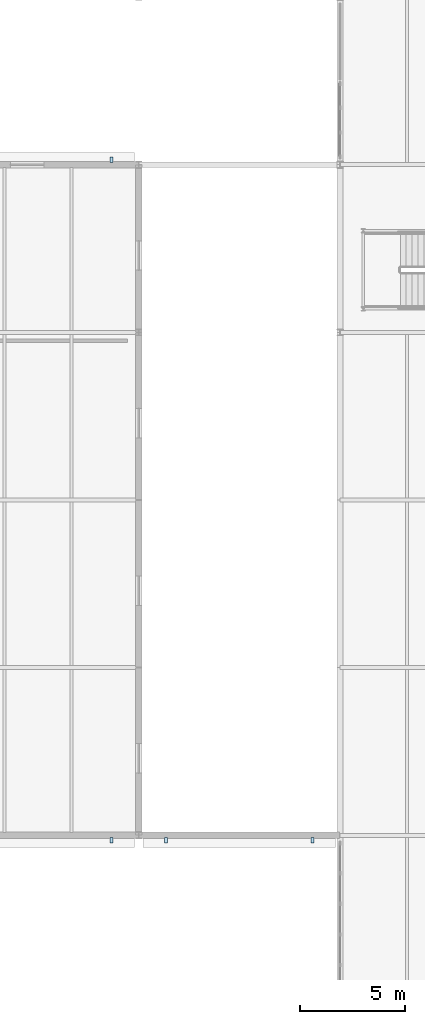
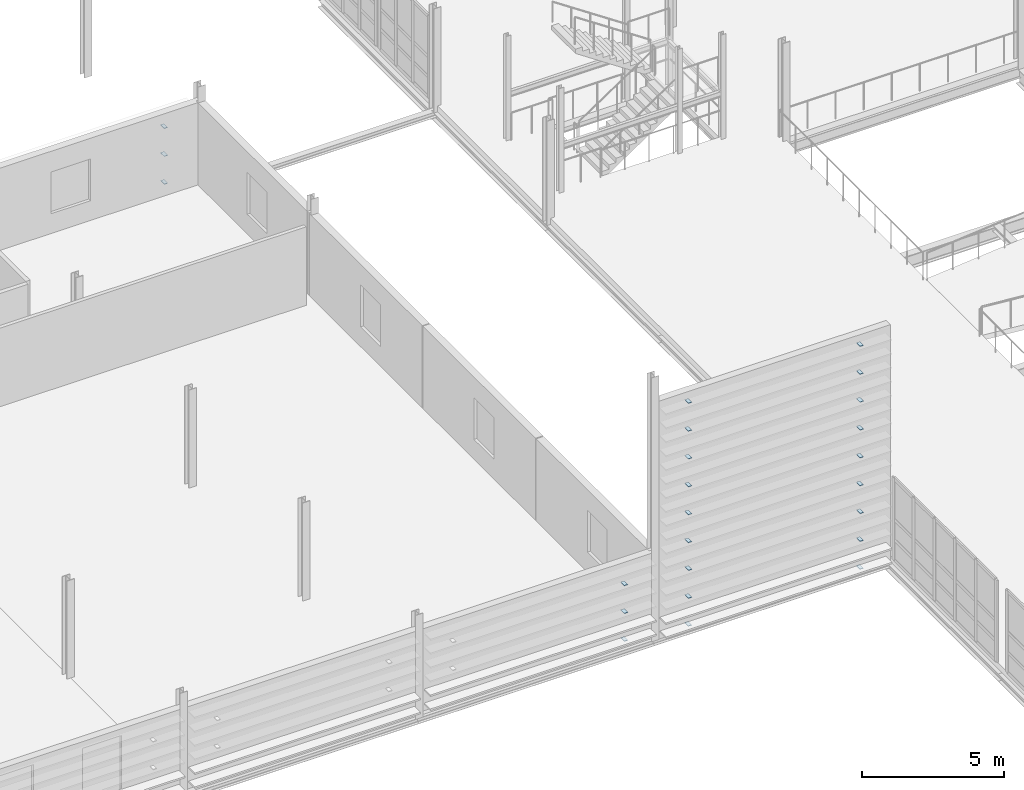
# One storey, part 57 of 73: 24 plates.
"""IFC4 building model written with IfcOpenShell, lengths in metres."""

from ifc_helpers import new_model, si_unit, direction, frame, origin, origin_2d, place, context, subcontext, project, spatial, rectangle, extrude, material, layer, layer_set, type_object, element, save


model = new_model("IFC4")

# Units and contexts
model_context = context("Model", 3, precision=1e-05, world=origin(), true_north=direction((0.0, 1.0)))
body_context = subcontext(model_context, "Body", "Model", "MODEL_VIEW")
ifc_project = project(units=[si_unit("LENGTHUNIT", "METRE"), si_unit("AREAUNIT", "SQUARE_METRE"), si_unit("VOLUMEUNIT", "CUBIC_METRE"), si_unit("PLANEANGLEUNIT", "RADIAN"), si_unit("MASSUNIT", "GRAM", prefix="KILO")], contexts=[model_context])

# Site, building, storey
site_placement = place(None, origin())
site = spatial("IfcSite", under=ifc_project, at=site_placement, CompositionType="ELEMENT")
building_placement = place(site_placement, origin())
building = spatial("IfcBuilding", under=site, at=building_placement, Name="Alderhovde Museum", CompositionType="ELEMENT")
storey_placement = place(building_placement, frame((0.0, 0.0, 12.89990234375)))
storey = spatial("IfcBuildingStorey", under=building, at=storey_placement, Name="L03", CompositionType="ELEMENT", Elevation=12.89990234375)

# Plates
ifc_material = material(Name="Steel S355J2", Category="steel")
ifc_layer = layer(ifc_material, 0.02001953125)
ifc_layer_set = layer_set([ifc_layer], Name="Steel S355J2")
plate_type = type_object("IfcPlateType", Name="LV-BRACKET", PredefinedType="USERDEFINED", material=ifc_layer_set)
for number, where, z_axis, x_axis, name in (
    (1, (68.50390625, 47.77001953125, 0.030029296875), (0.0, 0.0, 1.0), (1.0, 0.0, 0.0), "L03 Louvre Support Bracket 16-1"),
    (2, (75.49609375, 47.77001953125, 0.030029296875), (0.0, 0.0, 1.0), (1.0, 0.0, 0.0), "L03 Louvre Support Bracket 16-2"),
    (3, (68.50390625, 47.77001953125, 1.22998046875), (0.0, 0.0, 1.0), (1.0, 0.0, 0.0), "L03 Louvre Support Bracket 18-1"),
    (4, (75.49609375, 47.77001953125, 1.22998046875), (0.0, 0.0, 1.0), (1.0, 0.0, 0.0), "L03 Louvre Support Bracket 18-2"),
    (5, (68.50390625, 47.77001953125, 2.43017578125), (0.0, 0.0, 1.0), (1.0, 0.0, 0.0), "L03 Louvre Support Bracket 20-1"),
    (6, (75.49609375, 47.77001953125, 2.43017578125), (0.0, 0.0, 1.0), (1.0, 0.0, 0.0), "L03 Louvre Support Bracket 20-2"),
    (7, (68.50390625, 47.77001953125, 3.630126953125), (0.0, 0.0, 1.0), (1.0, 0.0, 0.0), "L03 Louvre Support Bracket 22-1"),
    (8, (75.49609375, 47.77001953125, 3.630126953125), (0.0, 0.0, 1.0), (1.0, 0.0, 0.0), "L03 Louvre Support Bracket 22-2"),
    (9, (68.50390625, 47.77001953125, 4.830078125), (0.0, 0.0, 1.0), (1.0, 0.0, 0.0), "L03 Louvre Support Bracket 24-1"),
    (10, (75.49609375, 47.77001953125, 4.830078125), (0.0, 0.0, 1.0), (1.0, 0.0, 0.0), "L03 Louvre Support Bracket 24-2"),
    (11, (68.50390625, 47.77001953125, 6.030029296875), (0.0, 0.0, 1.0), (1.0, 0.0, 0.0), "L03 Louvre Support Bracket 26-1"),
    (12, (75.49609375, 47.77001953125, 6.030029296875), (0.0, 0.0, 1.0), (1.0, 0.0, 0.0), "L03 Louvre Support Bracket 26-2"),
    (13, (68.50390625, 47.77001953125, 7.22998046875), (0.0, 0.0, 1.0), (1.0, 0.0, 0.0), "L03 Louvre Support Bracket 28-1"),
    (14, (75.49609375, 47.77001953125, 7.22998046875), (0.0, 0.0, 1.0), (1.0, 0.0, 0.0), "L03 Louvre Support Bracket 28-2"),
    (15, (68.50390625, 47.77001953125, 8.43017578125), (0.0, 0.0, 1.0), (1.0, 0.0, 0.0), "L03 Louvre Support Bracket 30-1"),
    (16, (75.49609375, 47.77001953125, 8.43017578125), (0.0, 0.0, 1.0), (1.0, 0.0, 0.0), "L03 Louvre Support Bracket 30-2"),
    (17, (68.50390625, 47.77001953125, 9.630126953125), (0.0, 0.0, 1.0), (1.0, 0.0, 0.0), "L03 Louvre Support Bracket 32-1"),
    (18, (75.49609375, 47.77001953125, 9.630126953125), (0.0, 0.0, 1.0), (1.0, 0.0, 0.0), "L03 Louvre Support Bracket 32-2"),
    (19, (65.89599609375, 47.77001953125, 0.2900390625), (0.0, 0.0, 1.0), (1.0, 0.0, 0.0), "L03 Louvre Support Bracket 181-2"),
    (20, (65.89599609375, 47.77001953125, 1.489990234375), (0.0, 0.0, 1.0), (1.0, 0.0, 0.0), "L03 Louvre Support Bracket 183-2"),
    (21, (65.89599609375, 47.77001953125, 2.690185546875), (0.0, 0.0, 1.0), (1.0, 0.0, 0.0), "L03 Louvre Support Bracket 185-2"),
    (22, (65.89599609375, 80.22998046875, 0.2900390625), (0.0, 0.0, 1.0), (1.0, 0.0, 0.0), "L03 Louvre Support Bracket 193-2"),
    (23, (65.89599609375, 80.22998046875, 1.489990234375), (0.0, 0.0, 1.0), (1.0, 0.0, 0.0), "L03 Louvre Support Bracket 195-2"),
    (24, (65.89599609375, 80.22998046875, 2.690185546875), (0.0, 0.0, 1.0), (1.0, 0.0, 0.0), "L03 Louvre Support Bracket 197-2"),
):
    element("IfcPlate", number, at=place(storey_placement, frame(where, z_axis=z_axis, x_axis=x_axis)), inside=storey, type_object=plate_type, Name=name, ObjectType="BRACKET PLATE", PredefinedType="USERDEFINED", context=body_context, shape_type="SweptSolid", body=[
        extrude(rectangle(XDim=0.139892578125, YDim=0.260009765625, at=origin_2d()), origin(), (0.0, 0.0, 1.0), 0.02001953125),
    ])

save(model, "model.ifc")
